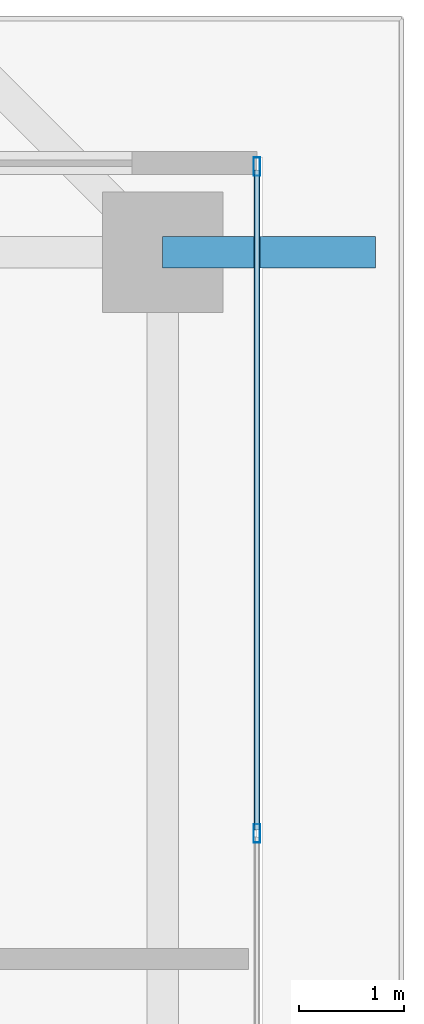
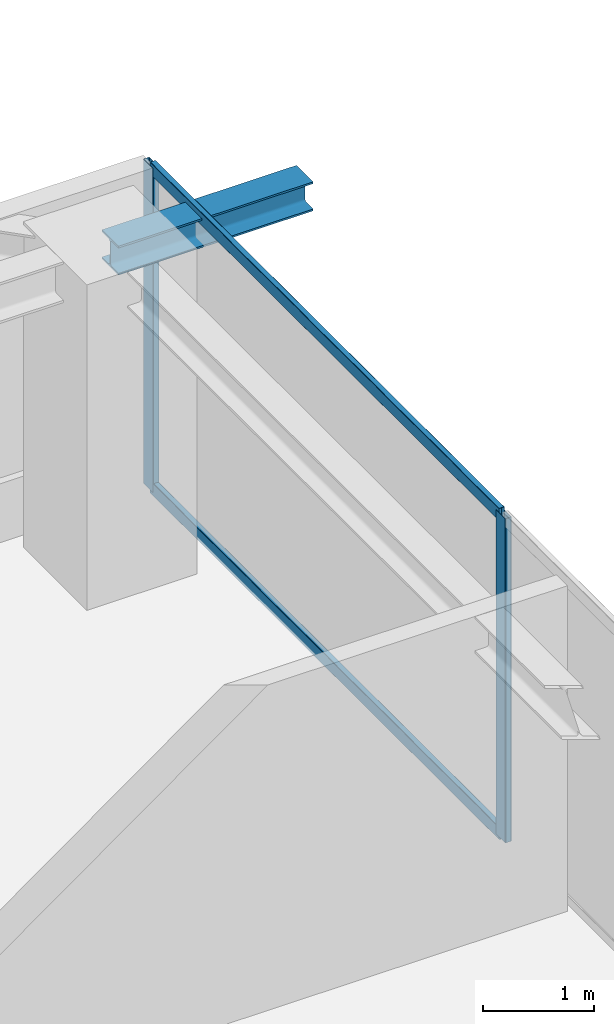
# One storey, part 24 of 38: 4 members, 1 beam, 1 element without a shape of its own.
"""IFC4 building model written with IfcOpenShell, lengths in metres."""

from ifc_helpers import new_model, si_unit, direction, frame, origin, origin_2d, place, context, subcontext, project, spatial, hollow_rectangle, i_section, extrude, source, transform, mapped, material, layer, layer_set, material_profile, profile_set, type_object, element, aggregate, save


model = new_model("IFC4")

# Units and contexts
model_context = context("Model", 3, precision=1e-05, world=origin(), true_north=direction((0.0, 1.0)))
body_context = subcontext(model_context, "Body", "Model", "MODEL_VIEW")
ifc_project = project(units=[si_unit("LENGTHUNIT", "METRE"), si_unit("AREAUNIT", "SQUARE_METRE"), si_unit("VOLUMEUNIT", "CUBIC_METRE"), si_unit("PLANEANGLEUNIT", "RADIAN"), si_unit("MASSUNIT", "GRAM", prefix="KILO")], contexts=[model_context])

# Site, building, storey
site_placement = place(None, origin())
site = spatial("IfcSite", under=ifc_project, at=site_placement, CompositionType="ELEMENT")
building_placement = place(site_placement, origin())
building = spatial("IfcBuilding", under=site, at=building_placement, Name="Serunith Strait Residences", CompositionType="ELEMENT")
storey_placement = place(building_placement, frame((0.0, 0.0, 268.199951171875)))
storey = spatial("IfcBuildingStorey", under=building, at=storey_placement, Name="L67", CompositionType="ELEMENT", Elevation=268.199951171875)

# Beam
ifc_material_1 = material(Name="Steel S355J2", Category="steel")
ifc_material_profile_1 = material_profile(ifc_material_1, i_section(OverallWidth=0.300048828125, OverallDepth=0.320068359375, WebThickness=0.011474609375, FlangeThickness=0.0205078125, FilletRadius=0.027099609375, at=origin_2d()), Name="HEB 320")
ifc_profile_set_1 = profile_set([ifc_material_profile_1], Name="Steel S355J2")
beam_type = type_object("IfcBeamType", Name="BM-HEB320", PredefinedType="BEAM", material=ifc_profile_set_1)
shared_shape_1 = source(origin(), body_context, "Body", "SweptSolid", [
    extrude(i_section(OverallWidth=0.300048828125, OverallDepth=0.320068359375, WebThickness=0.011474609375, FlangeThickness=0.0205078125, FilletRadius=0.027099609375, at=origin_2d()), origin(), (0.0, 0.0, 1.0), 2.030029296875),
])
beam_placement = place(storey_placement, frame((56.5, 40.35009765625, 3.39697265625), z_axis=(1.0, 0.0, 0.0), x_axis=(0.0, 1.0, 0.0)))
element("IfcBeam", 1, at=beam_placement, inside=storey, type_object=beam_type, Name="L68 Cantilevered Balcony Rib TC-E4", PredefinedType="BEAM", context=body_context, shape_type="MappedRepresentation", body=[
    mapped(shared_shape_1, transform((0.0, 0.0, 0.0), scale=1.0)),
])

# Curtain wall, members
ifc_material_2 = material(Name="Pale-Champagne Anodised Aluminium", Category="aluminium")
ifc_layer = layer(ifc_material_2, 0.199951171875, Name="Pale-Champagne Anodised Aluminium")
ifc_layer_set = layer_set([ifc_layer], Name="Pale-Champagne Anodised Aluminium")
curtain_wall_type = type_object("IfcCurtainWallType", Name="CW-SYS4", PredefinedType="NOTDEFINED", material=ifc_layer_set)
curtain_wall_placement = place(storey_placement, origin())
curtain_wall = element("IfcCurtainWall", 2, at=curtain_wall_placement, inside=storey, type_object=curtain_wall_type, Name="L67 E Unitised Fritted Curtain Wall", PredefinedType="NOTDEFINED")
ifc_material_profile_2 = material_profile(ifc_material_2, hollow_rectangle(XDim=0.06494140625, YDim=0.179931640625, WallThickness=0.00341796875, InnerFilletRadius=0.00537109375, OuterFilletRadius=0.0087890625, at=origin_2d()), Name="ALU 180x65x3.5")
ifc_profile_set_2 = profile_set([ifc_material_profile_2], Name="Pale-Champagne Anodised Aluminium")
member_type_1 = type_object("IfcMemberType", Name="CW-SYS4-MULL", PredefinedType="MULLION", material=ifc_profile_set_2)
shared_shape_2 = source(origin(), body_context, "Body", "SweptSolid", [
    extrude(hollow_rectangle(XDim=0.06494140625, YDim=0.179931640625, WallThickness=0.00341796875, InnerFilletRadius=0.00537109375, OuterFilletRadius=0.0087890625, at=origin_2d()), origin(), (0.0, 0.0, 1.0), 3.574951171875),
])
member_1_placement = place(storey_placement, frame((57.39990234375, 34.800048828125, 0.0), z_axis=(0.0, 0.0, 1.0), x_axis=(-1.0, 0.0, 0.0)))
member_1 = element("IfcMember", 3, at=member_1_placement, type_object=member_type_1, Name="CW-4 mullion 5", PredefinedType="MULLION", context=body_context, shape_type="MappedRepresentation", body=[
    mapped(shared_shape_2, transform((0.0, 0.0, 0.0), scale=1.0)),
])
member_2_placement = place(storey_placement, frame((57.39990234375, 41.16748046875, 0.0), z_axis=(0.0, 0.0, 1.0), x_axis=(-1.0, 0.0, 0.0)))
member_2 = element("IfcMember", 4, at=member_2_placement, type_object=member_type_1, Name="CW-4 mullion 6", PredefinedType="MULLION", context=body_context, shape_type="MappedRepresentation", body=[
    mapped(shared_shape_2, transform((0.0, 0.0, 0.0), scale=1.0)),
])
ifc_material_profile_3 = material_profile(ifc_material_2, hollow_rectangle(XDim=0.06005859375, YDim=0.139892578125, WallThickness=0.00341796875, InnerFilletRadius=0.00537109375, OuterFilletRadius=0.0087890625, at=origin_2d()), Name="ALU 140x60x3.5")
ifc_profile_set_3 = profile_set([ifc_material_profile_3], Name="Pale-Champagne Anodised Aluminium")
member_type_2 = type_object("IfcMemberType", Name="CW-SYS4-TRAN", PredefinedType="USERDEFINED", material=ifc_profile_set_3)
shared_shape_3 = source(origin(), body_context, "Body", "SweptSolid", [
    extrude(hollow_rectangle(XDim=0.06005859375, YDim=0.139892578125, WallThickness=0.00341796875, InnerFilletRadius=0.00537109375, OuterFilletRadius=0.0087890625, at=origin_2d()), origin(), (0.0, 0.0, 1.0), 6.302490234375),
])
member_3_placement = place(storey_placement, frame((57.39990234375, 34.83251953125, 0.030029296875), z_axis=(0.0, 1.0, 0.0), x_axis=(-1.0, 0.0, 0.0)))
member_3 = element("IfcMember", 5, at=member_3_placement, type_object=member_type_2, Name="CW-4 transom 5.1", ObjectType="TRANSOM", PredefinedType="USERDEFINED", context=body_context, shape_type="MappedRepresentation", body=[
    mapped(shared_shape_3, transform((0.0, 0.0, 0.0), scale=1.0)),
])
member_4_placement = place(storey_placement, frame((57.39990234375, 34.83251953125, 3.545166015625), z_axis=(0.0, 1.0, 0.0), x_axis=(-1.0, 0.0, 0.0)))
member_4 = element("IfcMember", 6, at=member_4_placement, type_object=member_type_2, Name="CW-4 transom 5.2", ObjectType="TRANSOM", PredefinedType="USERDEFINED", context=body_context, shape_type="MappedRepresentation", body=[
    mapped(shared_shape_3, transform((0.0, 0.0, 0.0), scale=1.0)),
])
aggregate(curtain_wall, [member_1, member_2, member_3, member_4])

save(model, "model.ifc")
